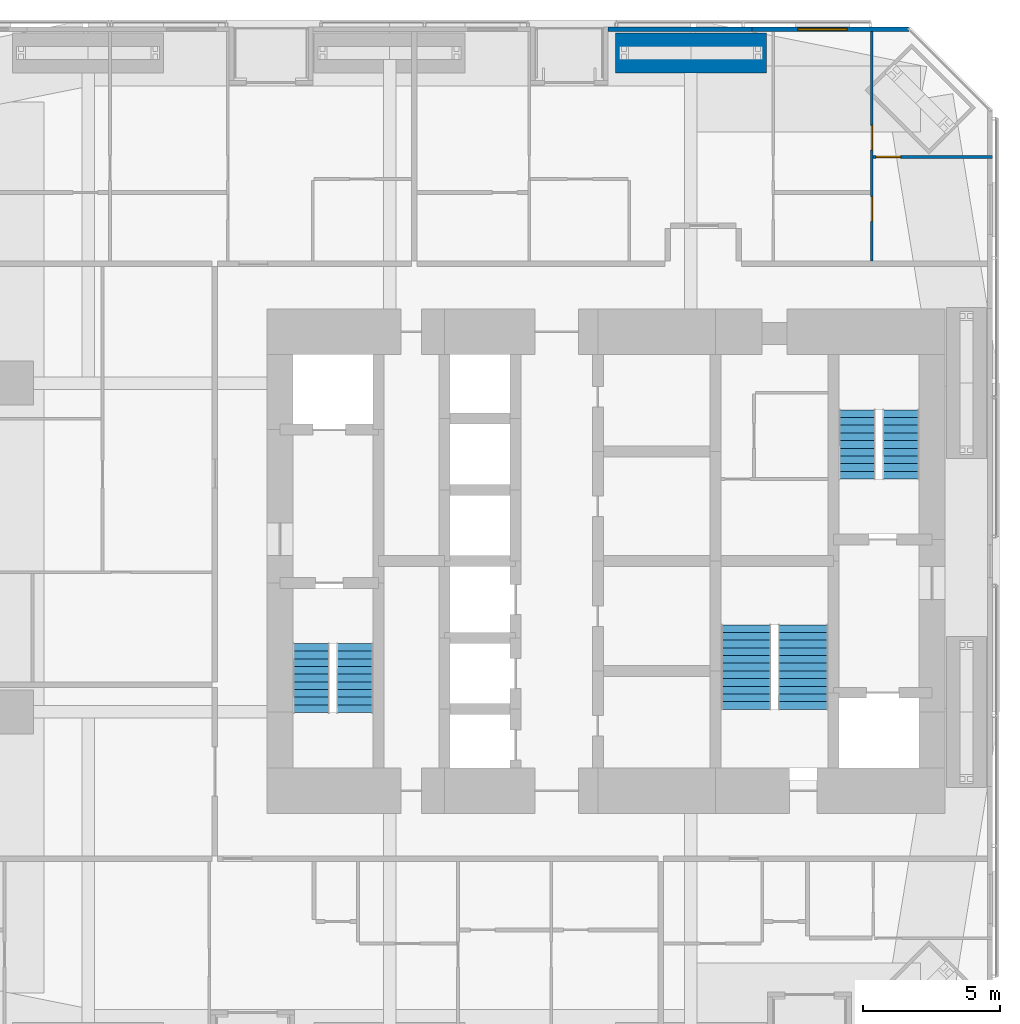
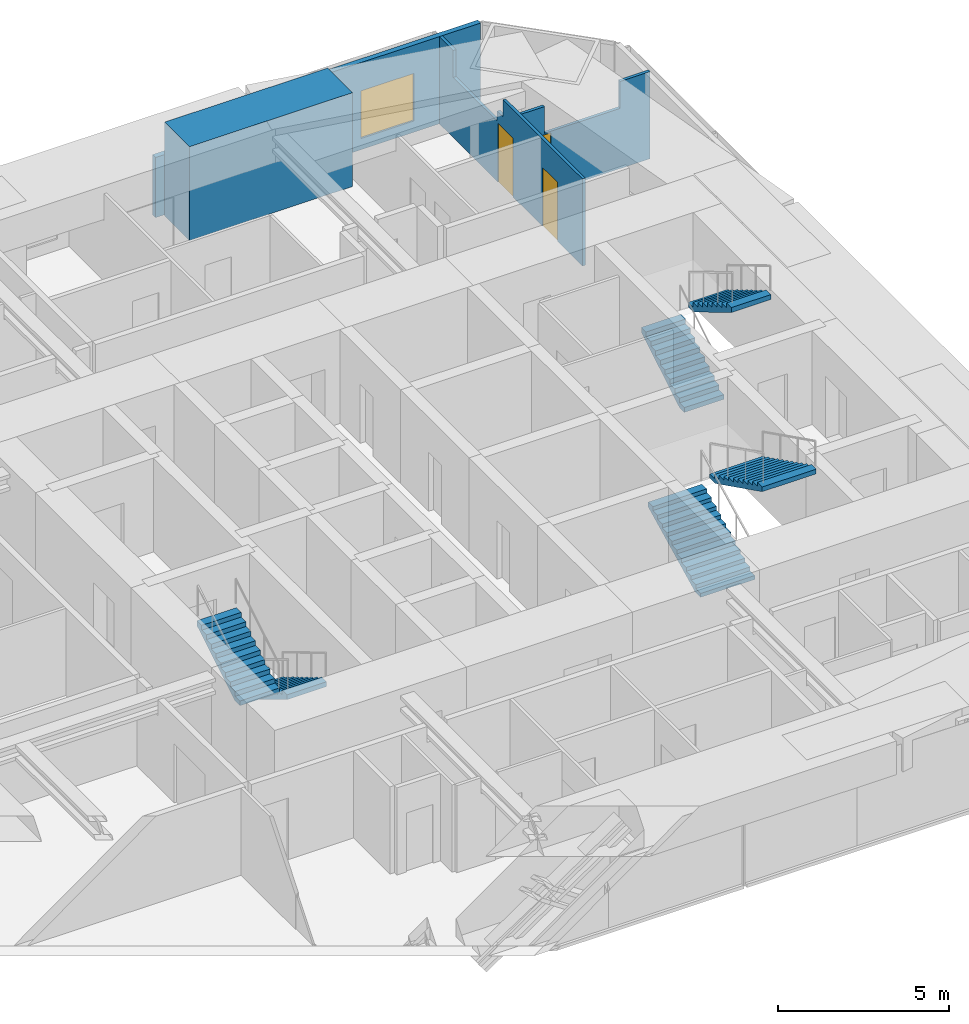
# One storey, part 21 of 22: 6 stair flights, 5 walls, 3 doors, 1 window, 4 openings, 3 elements without a shape of their own.
"""IFC4 building model written with IfcOpenShell, lengths in metres."""

from ifc_helpers import new_model, si_unit, direction, frame, frame_2d, origin, place, context, subcontext, project, spatial, polyline, rectangle, outline, extrude, material, layer, layer_set, constituent, constituent_set, type_object, element, fill, aggregate, save


model = new_model("IFC4")

# Units and contexts
model_context = context("Model", 3, precision=1e-05, world=origin(), true_north=direction((0.0, 1.0)))
body_context = subcontext(model_context, "Body", "Model", "MODEL_VIEW")
ifc_project = project(units=[si_unit("LENGTHUNIT", "METRE"), si_unit("AREAUNIT", "SQUARE_METRE"), si_unit("VOLUMEUNIT", "CUBIC_METRE"), si_unit("PLANEANGLEUNIT", "RADIAN"), si_unit("MASSUNIT", "GRAM", prefix="KILO")], contexts=[model_context])

# Site, building, storey
site_placement = place(None, origin())
site = spatial("IfcSite", under=ifc_project, at=site_placement, CompositionType="ELEMENT")
building_placement = place(site_placement, origin())
building = spatial("IfcBuilding", under=site, at=building_placement, Name="Jalousie Tower", CompositionType="ELEMENT")
storey_placement = place(building_placement, frame((0.0, 0.0, 67.89990234375)))
storey = spatial("IfcBuildingStorey", under=building, at=storey_placement, Name="L18", CompositionType="ELEMENT", Elevation=67.89990234375)

# Wall, opening, window
ifc_material_1 = material(Name="Concrete f'c 40 MPa", Category="concrete")
ifc_constituent_1 = constituent(ifc_material_1, Name="Body")
ifc_material_2 = material(Name="Render, pastel coral")
ifc_constituent_2 = constituent(ifc_material_2, Name="Finish")
ifc_constituent_set_1 = constituent_set(constituents=[ifc_constituent_1, ifc_constituent_2])
wall_type_1 = type_object("IfcWallType", Name="EXTERNAL WALL 175 CORAL RENDER", PredefinedType="SOLIDWALL", material=ifc_constituent_set_1)
wall_1_placement = place(storey_placement, frame((42.94873046875, 37.91259765625, 0.0), z_axis=(0.0, 0.0, 1.0), x_axis=(-1.0, 0.0, 0.0)))
wall_1 = element("IfcWall", 1, at=wall_1_placement, inside=storey, type_object=wall_type_1, Name="External Wall 175 Coral Render L18-A", PredefinedType="SOLIDWALL", context=body_context, shape_type="SweptSolid", body=[
    extrude(rectangle(XDim=5.714111328125, YDim=0.175048828125, at=frame_2d((2.85693359375, 0.0))), origin(), (0.0, 0.0, 1.0), 3.110107421875),
])
opening_1_placement = place(wall_1_placement, frame((2.248779296875, 0.0, 0.39990234375)))
opening_1 = element("IfcOpeningElement", 2, at=opening_1_placement, cuts=wall_1, Name="Opening W-BED170", PredefinedType="OPENING", context=body_context, shape_type="SweptSolid", body=[
    extrude(rectangle(XDim=1.800048828125, YDim=1.699951171875, at=frame_2d((0.89990234375, 0.85009765625))), frame((0.0, 0.097412109375, 0.0), z_axis=(0.0, -1.0, 0.0), x_axis=(1.0, 0.0, 0.0)), (0.0, 0.0, 1.0), 0.195068359375),
])
ifc_material_3 = material(Name="Aluminium frame, impact-rated glazing", Category="aluminium")
window_type = type_object("IfcWindowType", Name="WINDOW BED 1800x1700", PartitioningType="SINGLE_PANEL", PredefinedType="WINDOW", material=ifc_material_3)
window_placement = place(opening_1_placement, origin())
window = element("IfcWindow", 3, at=window_placement, inside=storey, type_object=window_type, Name="Apartment 1804 bedroom 2 window", OverallHeight=1.699951171875, OverallWidth=1.800048828125, PartitioningType="SINGLE_PANEL", PredefinedType="WINDOW", context=body_context, shape_type="SweptSolid", body=[
    extrude(rectangle(XDim=1.800048828125, YDim=1.699951171875, at=frame_2d((0.89990234375, 0.85009765625))), frame((0.0, 0.030029296875, 0.0), z_axis=(0.0, -1.0, 0.0), x_axis=(1.0, 0.0, 0.0)), (0.0, 0.0, 1.0), 0.06005859375),
])
fill(opening_1, window)

# Wall
wall_2_placement = place(storey_placement, frame((37.234619140625, 37.91259765625, 0.0), z_axis=(0.0, 0.0, 1.0), x_axis=(-1.0, 0.0, 0.0)))
element("IfcWall", 4, at=wall_2_placement, inside=storey, type_object=wall_type_1, Name="External Wall 175 Coral Render L18-B", PredefinedType="SOLIDWALL", context=body_context, shape_type="SweptSolid", body=[
    extrude(rectangle(XDim=5.259521484375, YDim=0.175048828125, at=frame_2d((2.6298828125, 0.0))), origin(), (0.0, 0.0, 1.0), 2.150146484375),
])

# Wall, openings, doors
ifc_material_4 = material(Name="Gypsum board", Category="gypsum")
ifc_constituent_3 = constituent(ifc_material_4, Name="Body")
ifc_material_5 = material(Name="Light-gauge steel studs ASTM A653 SS Grade 33", Category="steel")
ifc_constituent_4 = constituent(ifc_material_5, Name="Framing")
ifc_constituent_set_2 = constituent_set(constituents=[ifc_constituent_3, ifc_constituent_4])
wall_type_2 = type_object("IfcWallType", Name="PARTITION 100", PredefinedType="PARTITIONING", material=ifc_constituent_set_2)
wall_3_placement = place(storey_placement, frame((41.60009765625, 37.824951171875, 0.0), z_axis=(0.0, 0.0, 1.0), x_axis=(0.0, -1.0, 0.0)))
wall_3 = element("IfcWall", 5, at=wall_3_placement, inside=storey, type_object=wall_type_2, Name="Partition 100 L18", PredefinedType="PARTITIONING", context=body_context, shape_type="SweptSolid", body=[
    extrude(outline(polyline([(0.0, 0.0), (8.375, 0.0), (8.375, 3.110107421875), (3.71630859375, 3.110107421875), (3.71630859375, 2.510009765625), (3.38623046875, 2.510009765625), (3.38623046875, 2.150146484375), (0.81591796875, 2.150146484375), (0.81591796875, 3.110107421875), (0.0, 3.110107421875), (0.0, 0.0)])), frame((0.0, 0.050048828125, 0.0), z_axis=(0.0, -1.0, 0.0), x_axis=(1.0, 0.0, 0.0)), (0.0, 0.0, 1.0), 0.10009765625),
])
opening_2_placement = place(wall_3_placement, frame((3.421630859375, 0.0, 0.0)))
opening_2 = element("IfcOpeningElement", 6, at=opening_2_placement, cuts=wall_3, Name="Opening D2", PredefinedType="OPENING", context=body_context, shape_type="SweptSolid", body=[
    extrude(rectangle(XDim=0.89990234375, YDim=2.10009765625, at=frame_2d((0.449951171875, 1.050048828125))), frame((0.0, 0.06005859375, 0.0), z_axis=(0.0, -1.0, 0.0), x_axis=(1.0, 0.0, 0.0)), (0.0, 0.0, 1.0), 0.1201171875),
])
opening_3_placement = place(wall_3_placement, frame((6.023193359375, 0.0, 0.0)))
opening_3 = element("IfcOpeningElement", 7, at=opening_3_placement, cuts=wall_3, Name="Opening D3", PredefinedType="OPENING", context=body_context, shape_type="SweptSolid", body=[
    extrude(rectangle(XDim=0.89990234375, YDim=2.10009765625, at=frame_2d((0.449951171875, 1.050048828125))), frame((0.0, 0.06005859375, 0.0), z_axis=(0.0, -1.0, 0.0), x_axis=(1.0, 0.0, 0.0)), (0.0, 0.0, 1.0), 0.1201171875),
])
ifc_material_6 = material(Name="Timber door", Category="wood")
door_type_1 = type_object("IfcDoorType", Name="BATHROOM DOOR 900", OperationType="SINGLE_SWING_LEFT", PredefinedType="DOOR", material=ifc_material_6)
door_1_placement = place(opening_3_placement, frame((0.89990234375, 0.0, 0.0), z_axis=(0.0, 0.0, 1.0), x_axis=(-1.0, 0.0, 0.0)))
door_1 = element("IfcDoor", 8, at=door_1_placement, inside=storey, type_object=door_type_1, Name="Apartment 1804 bedroom 3 bathroom door", OperationType="SINGLE_SWING_RIGHT", OverallHeight=2.10009765625, OverallWidth=0.89990234375, PredefinedType="DOOR", context=body_context, shape_type="SweptSolid", body=[
    extrude(rectangle(XDim=0.89990234375, YDim=2.10009765625, at=frame_2d((0.449951171875, 1.050048828125))), frame((0.0, 0.02490234375, 0.0), z_axis=(0.0, -1.0, 0.0), x_axis=(1.0, 0.0, 0.0)), (0.0, 0.0, 1.0), 0.050048828125),
])
fill(opening_3, door_1)
ifc_material_7 = material(Name="Timber door", Category="wood")
door_type_2 = type_object("IfcDoorType", Name="BEDROOM DOOR 900", OperationType="SINGLE_SWING_LEFT", PredefinedType="DOOR", material=ifc_material_7)
door_2_placement = place(opening_2_placement, frame((0.89990234375, 0.0, 0.0), z_axis=(0.0, 0.0, 1.0), x_axis=(-1.0, 0.0, 0.0)))
door_2 = element("IfcDoor", 9, at=door_2_placement, inside=storey, type_object=door_type_2, Name="Apartment 1804 bedroom 3 door", OperationType="SINGLE_SWING_LEFT", OverallHeight=2.10009765625, OverallWidth=0.89990234375, PredefinedType="DOOR", context=body_context, shape_type="SweptSolid", body=[
    extrude(rectangle(XDim=0.89990234375, YDim=2.10009765625, at=frame_2d((0.449951171875, 1.050048828125))), frame((0.0, 0.02490234375, 0.0), z_axis=(0.0, -1.0, 0.0), x_axis=(1.0, 0.0, 0.0)), (0.0, 0.0, 1.0), 0.050048828125),
])
fill(opening_2, door_2)

# Wall, opening, door
wall_4_placement = place(storey_placement, frame((41.64990234375, 33.25341796875, 0.0), z_axis=(0.0, 0.0, 1.0), x_axis=(1.0, 0.0, 0.0)))
wall_4 = element("IfcWall", 10, at=wall_4_placement, inside=storey, type_object=wall_type_2, Name="Partition 100 L18", PredefinedType="PARTITIONING", context=body_context, shape_type="SweptSolid", body=[
    extrude(outline(polyline([(0.0, 0.0), (4.35009765625, 0.0), (4.35009765625, 3.110107421875), (3.338134765625, 3.110107421875), (3.338134765625, 2.150146484375), (0.78515625, 2.150146484375), (0.78515625, 3.110107421875), (0.0, 3.110107421875), (0.0, 0.0)])), frame((0.0, 0.050048828125, 0.0), z_axis=(0.0, -1.0, 0.0), x_axis=(1.0, 0.0, 0.0)), (0.0, 0.0, 1.0), 0.10009765625),
])
opening_4_placement = place(wall_4_placement, frame((0.10009765625, 0.0, 0.0)))
opening_4 = element("IfcOpeningElement", 11, at=opening_4_placement, cuts=wall_4, Name="Opening D7", PredefinedType="OPENING", context=body_context, shape_type="SweptSolid", body=[
    extrude(rectangle(XDim=0.89990234375, YDim=2.10009765625, at=frame_2d((0.449951171875, 1.050048828125))), frame((0.0, 0.06005859375, 0.0), z_axis=(0.0, -1.0, 0.0), x_axis=(1.0, 0.0, 0.0)), (0.0, 0.0, 1.0), 0.1201171875),
])
ifc_material_8 = material(Name="Timber door", Category="wood")
door_type_3 = type_object("IfcDoorType", Name="INTERNAL DOOR 900", OperationType="SINGLE_SWING_LEFT", PredefinedType="DOOR", material=ifc_material_8)
door_3_placement = place(opening_4_placement, frame((0.89990234375, 0.0, 0.0), z_axis=(0.0, 0.0, 1.0), x_axis=(-1.0, 0.0, 0.0)))
door_3 = element("IfcDoor", 12, at=door_3_placement, inside=storey, type_object=door_type_3, Name="Apartment 1804 bedroom 3 dressing hall door", OperationType="SINGLE_SWING_RIGHT", OverallHeight=2.10009765625, OverallWidth=0.89990234375, PredefinedType="DOOR", context=body_context, shape_type="SweptSolid", body=[
    extrude(rectangle(XDim=0.89990234375, YDim=2.10009765625, at=frame_2d((0.449951171875, 1.050048828125))), frame((0.0, 0.02490234375, 0.0), z_axis=(0.0, -1.0, 0.0), x_axis=(1.0, 0.0, 0.0)), (0.0, 0.0, 1.0), 0.050048828125),
])
fill(opening_4, door_3)

# Wall
ifc_material_9 = material(Name="Concrete f'c 120 MPa", Category="concrete")
ifc_layer = layer(ifc_material_9, 1.449951171875)
ifc_layer_set = layer_set([ifc_layer], Name="Concrete f'c 120 MPa")
wall_type_3 = type_object("IfcWallType", Name="RC WALL PIER 1450", PredefinedType="SHEAR", material=ifc_layer_set)
wall_5_placement = place(storey_placement, frame((32.25, 37.050048828125, 0.0), z_axis=(0.0, 0.0, 1.0), x_axis=(1.0, 0.0, 0.0)))
element("IfcWall", 13, at=wall_5_placement, inside=storey, type_object=wall_type_3, Name="Wall pier 09 L18", PredefinedType="SHEAR", context=body_context, shape_type="SweptSolid", body=[
    extrude(rectangle(XDim=5.5, YDim=1.449951171875, at=frame_2d((2.75, 0.0))), origin(), (0.0, 0.0, 1.0), 3.35009765625),
])

# Stair, stair flights
ifc_material_10 = material(Name="Concrete f'c 40 MPa", Category="concrete")
stair_type = type_object("IfcStairType", Name="EXIT STAIR", PredefinedType="HALF_TURN_STAIR", material=ifc_material_10)
stair_1_placement = place(storey_placement, origin())
stair_1 = element("IfcStair", 14, at=stair_1_placement, inside=storey, type_object=stair_type, Name="Exit stair A L18", PredefinedType="HALF_TURN_STAIR")
ifc_material_11 = material(Name="Concrete f'c 40 MPa", Category="concrete")
stair_flight_type = type_object("IfcStairFlightType", Name="STAIR FLIGHT", PredefinedType="STRAIGHT", material=ifc_material_11)
stair_flight_1_placement = place(storey_placement, frame((22.731201171875, 15.49755859375, 0.0), z_axis=(0.0, 0.0, 1.0), x_axis=(0.0, -1.0, 0.0)))
stair_flight_1 = element("IfcStairFlight", 15, at=stair_flight_1_placement, type_object=stair_flight_type, Name="ST-A flight 1", NumberOfRisers=10, NumberOfTreads=9, PredefinedType="STRAIGHT", RiserHeight=0.1675, TreadLength=0.28, context=body_context, shape_type="SweptSolid", body=[
    extrude(outline(polyline([(0.0, 0.0), (0.0, 0.16748046875), (0.280029296875, 0.16748046875), (0.280029296875, 0.3349609375), (0.56005859375, 0.3349609375), (0.56005859375, 0.50244140625), (0.840087890625, 0.50244140625), (0.840087890625, 0.669921875), (1.1201171875, 0.669921875), (1.1201171875, 0.83740234375), (1.39990234375, 0.83740234375), (1.39990234375, 1.0048828125), (1.679931640625, 1.0048828125), (1.679931640625, 1.172607421875), (1.9599609375, 1.172607421875), (1.9599609375, 1.340087890625), (2.239990234375, 1.340087890625), (2.239990234375, 1.507568359375), (2.52001953125, 1.507568359375), (2.52001953125, 1.675048828125), (2.52001953125, 1.332763671875), (0.2919921875, 0.0), (0.0, 0.0)])), frame((0.0, 0.668701171875, 0.0), z_axis=(0.0, -1.0, 0.0), x_axis=(1.0, 0.0, 0.0)), (0.0, 0.0, 1.0), 1.33740234375),
])
stair_flight_2_placement = place(storey_placement, frame((21.143798828125, 12.9775390625, 1.675048828125), z_axis=(0.0, 0.0, 1.0), x_axis=(0.0, 1.0, 0.0)))
stair_flight_2 = element("IfcStairFlight", 16, at=stair_flight_2_placement, type_object=stair_flight_type, Name="ST-A flight 2", NumberOfRisers=10, NumberOfTreads=9, PredefinedType="STRAIGHT", RiserHeight=0.1675, TreadLength=0.28, context=body_context, shape_type="SweptSolid", body=[
    extrude(outline(polyline([(0.0, 0.0), (0.0, 0.16748046875), (0.280029296875, 0.16748046875), (0.280029296875, 0.3349609375), (0.56005859375, 0.3349609375), (0.56005859375, 0.50244140625), (0.840087890625, 0.50244140625), (0.840087890625, 0.669921875), (1.1201171875, 0.669921875), (1.1201171875, 0.83740234375), (1.39990234375, 0.83740234375), (1.39990234375, 1.0048828125), (1.679931640625, 1.0048828125), (1.679931640625, 1.172607421875), (1.9599609375, 1.172607421875), (1.9599609375, 1.340087890625), (2.239990234375, 1.340087890625), (2.239990234375, 1.507568359375), (2.52001953125, 1.507568359375), (2.52001953125, 1.675048828125), (2.52001953125, 1.332763671875), (0.2919921875, 0.0), (0.0, 0.0)])), frame((0.0, 0.668701171875, 0.0), z_axis=(0.0, -1.0, 0.0), x_axis=(1.0, 0.0, 0.0)), (0.0, 0.0, 1.0), 1.33740234375),
])
aggregate(stair_1, [stair_flight_1, stair_flight_2])

stair_2_placement = place(storey_placement, origin())
stair_2 = element("IfcStair", 17, at=stair_2_placement, inside=storey, type_object=stair_type, Name="Exit stair B L18", PredefinedType="HALF_TURN_STAIR")
stair_flight_3_placement = place(storey_placement, frame((41.06884765625, 21.50244140625, 0.0), z_axis=(0.0, 0.0, 1.0), x_axis=(0.0, 1.0, 0.0)))
stair_flight_3 = element("IfcStairFlight", 18, at=stair_flight_3_placement, type_object=stair_flight_type, Name="ST-B flight 1", NumberOfRisers=10, NumberOfTreads=9, PredefinedType="STRAIGHT", RiserHeight=0.1675, TreadLength=0.28, context=body_context, shape_type="SweptSolid", body=[
    extrude(outline(polyline([(0.0, 0.0), (0.0, 0.16748046875), (0.280029296875, 0.16748046875), (0.280029296875, 0.3349609375), (0.56005859375, 0.3349609375), (0.56005859375, 0.50244140625), (0.840087890625, 0.50244140625), (0.840087890625, 0.669921875), (1.1201171875, 0.669921875), (1.1201171875, 0.83740234375), (1.39990234375, 0.83740234375), (1.39990234375, 1.0048828125), (1.679931640625, 1.0048828125), (1.679931640625, 1.172607421875), (1.9599609375, 1.172607421875), (1.9599609375, 1.340087890625), (2.239990234375, 1.340087890625), (2.239990234375, 1.507568359375), (2.52001953125, 1.507568359375), (2.52001953125, 1.675048828125), (2.52001953125, 1.332763671875), (0.2919921875, 0.0), (0.0, 0.0)])), frame((0.0, 0.668701171875, 0.0), z_axis=(0.0, -1.0, 0.0), x_axis=(1.0, 0.0, 0.0)), (0.0, 0.0, 1.0), 1.33740234375),
])
stair_flight_4_placement = place(storey_placement, frame((42.65625, 24.0224609375, 1.675048828125), z_axis=(0.0, 0.0, 1.0), x_axis=(0.0, -1.0, 0.0)))
stair_flight_4 = element("IfcStairFlight", 19, at=stair_flight_4_placement, type_object=stair_flight_type, Name="ST-B flight 2", NumberOfRisers=10, NumberOfTreads=9, PredefinedType="STRAIGHT", RiserHeight=0.1675, TreadLength=0.28, context=body_context, shape_type="SweptSolid", body=[
    extrude(outline(polyline([(0.0, 0.0), (0.0, 0.16748046875), (0.280029296875, 0.16748046875), (0.280029296875, 0.3349609375), (0.56005859375, 0.3349609375), (0.56005859375, 0.50244140625), (0.840087890625, 0.50244140625), (0.840087890625, 0.669921875), (1.1201171875, 0.669921875), (1.1201171875, 0.83740234375), (1.39990234375, 0.83740234375), (1.39990234375, 1.0048828125), (1.679931640625, 1.0048828125), (1.679931640625, 1.172607421875), (1.9599609375, 1.172607421875), (1.9599609375, 1.340087890625), (2.239990234375, 1.340087890625), (2.239990234375, 1.507568359375), (2.52001953125, 1.507568359375), (2.52001953125, 1.675048828125), (2.52001953125, 1.332763671875), (0.2919921875, 0.0), (0.0, 0.0)])), frame((0.0, 0.668701171875, 0.0), z_axis=(0.0, -1.0, 0.0), x_axis=(1.0, 0.0, 0.0)), (0.0, 0.0, 1.0), 1.33740234375),
])
aggregate(stair_2, [stair_flight_3, stair_flight_4])

stair_3_placement = place(storey_placement, origin())
stair_3 = element("IfcStair", 20, at=stair_3_placement, inside=storey, type_object=stair_type, Name="Exit stair C L18", PredefinedType="HALF_TURN_STAIR")
stair_flight_5_placement = place(storey_placement, frame((37.012451171875, 13.097412109375, 0.0), z_axis=(0.0, 0.0, 1.0), x_axis=(0.0, 1.0, 0.0)))
stair_flight_5 = element("IfcStairFlight", 21, at=stair_flight_5_placement, type_object=stair_flight_type, Name="ST-C flight 1", NumberOfRisers=12, NumberOfTreads=11, PredefinedType="STRAIGHT", RiserHeight=0.139583333, TreadLength=0.28, context=body_context, shape_type="SweptSolid", body=[
    extrude(outline(polyline([(0.0, 0.0), (0.0, 0.1396484375), (0.280029296875, 0.1396484375), (0.280029296875, 0.279052734375), (0.56005859375, 0.279052734375), (0.56005859375, 0.418701171875), (0.840087890625, 0.418701171875), (0.840087890625, 0.558349609375), (1.1201171875, 0.558349609375), (1.1201171875, 0.697998046875), (1.39990234375, 0.697998046875), (1.39990234375, 0.83740234375), (1.679931640625, 0.83740234375), (1.679931640625, 0.97705078125), (1.9599609375, 0.97705078125), (1.9599609375, 1.11669921875), (2.239990234375, 1.11669921875), (2.239990234375, 1.25634765625), (2.52001953125, 1.25634765625), (2.52001953125, 1.395751953125), (2.800048828125, 1.395751953125), (2.800048828125, 1.535400390625), (3.080078125, 1.535400390625), (3.080078125, 1.675048828125), (3.080078125, 1.367919921875), (0.3359375, 0.0), (0.0, 0.0)])), frame((0.0, 0.91259765625, 0.0), z_axis=(0.0, -1.0, 0.0), x_axis=(1.0, 0.0, 0.0)), (0.0, 0.0, 1.0), 1.824951171875),
])
stair_flight_6_placement = place(storey_placement, frame((39.08740234375, 16.177490234375, 1.675048828125), z_axis=(0.0, 0.0, 1.0), x_axis=(0.0, -1.0, 0.0)))
stair_flight_6 = element("IfcStairFlight", 22, at=stair_flight_6_placement, type_object=stair_flight_type, Name="ST-C flight 2", NumberOfRisers=12, NumberOfTreads=11, PredefinedType="STRAIGHT", RiserHeight=0.139583333, TreadLength=0.28, context=body_context, shape_type="SweptSolid", body=[
    extrude(outline(polyline([(0.0, 0.0), (0.0, 0.1396484375), (0.280029296875, 0.1396484375), (0.280029296875, 0.279052734375), (0.56005859375, 0.279052734375), (0.56005859375, 0.418701171875), (0.840087890625, 0.418701171875), (0.840087890625, 0.558349609375), (1.1201171875, 0.558349609375), (1.1201171875, 0.697998046875), (1.39990234375, 0.697998046875), (1.39990234375, 0.83740234375), (1.679931640625, 0.83740234375), (1.679931640625, 0.97705078125), (1.9599609375, 0.97705078125), (1.9599609375, 1.11669921875), (2.239990234375, 1.11669921875), (2.239990234375, 1.25634765625), (2.52001953125, 1.25634765625), (2.52001953125, 1.395751953125), (2.800048828125, 1.395751953125), (2.800048828125, 1.535400390625), (3.080078125, 1.535400390625), (3.080078125, 1.675048828125), (3.080078125, 1.367919921875), (0.3359375, 0.0), (0.0, 0.0)])), frame((0.0, 0.91259765625, 0.0), z_axis=(0.0, -1.0, 0.0), x_axis=(1.0, 0.0, 0.0)), (0.0, 0.0, 1.0), 1.824951171875),
])
aggregate(stair_3, [stair_flight_5, stair_flight_6])

save(model, "model.ifc")
